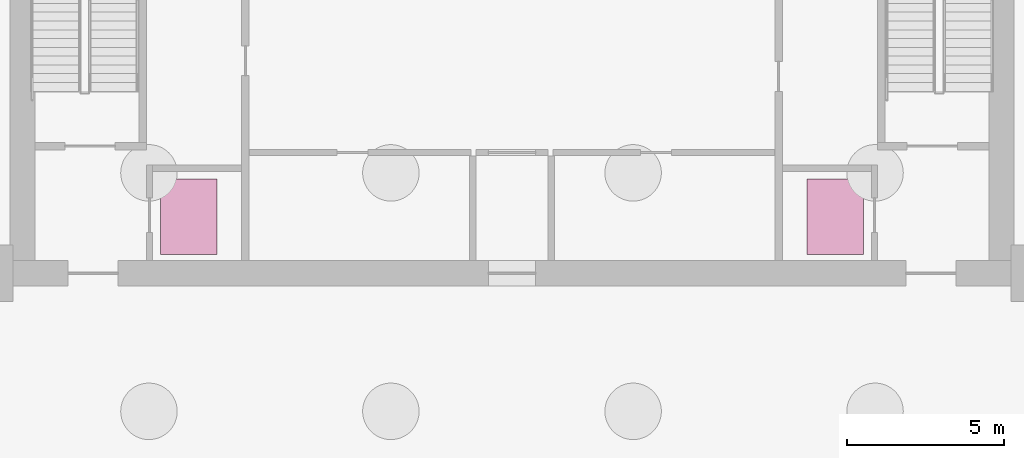
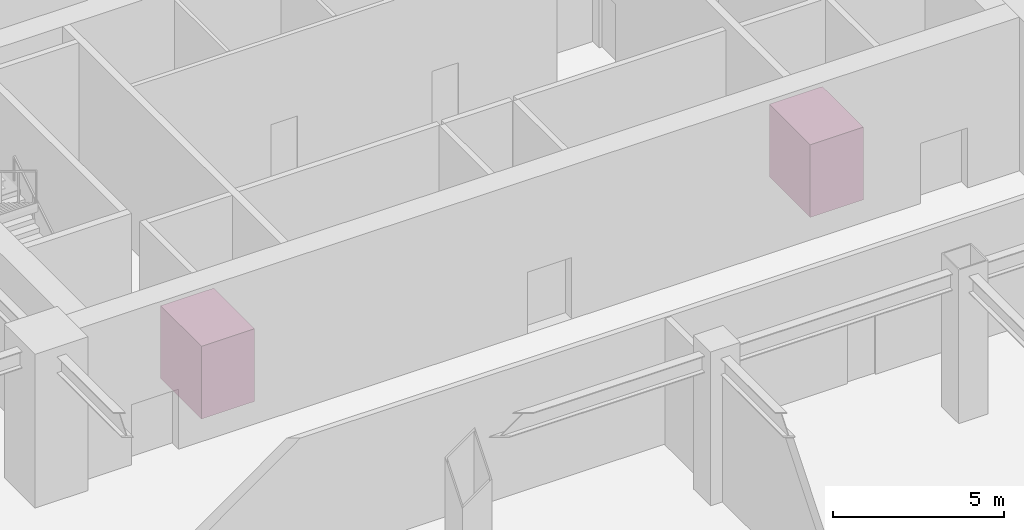
# One storey, part 9 of 9: 2 transport elements.
"""IFC4 building model written with IfcOpenShell, lengths in metres."""

from ifc_helpers import new_model, si_unit, direction, frame, origin, origin_2d, place, context, subcontext, project, spatial, rectangle, extrude, source, transform, mapped, material, type_object, element, save


model = new_model("IFC4")

# Units and contexts
model_context = context("Model", 3, precision=1e-05, world=origin(), true_north=direction((0.0, 1.0)))
body_context = subcontext(model_context, "Body", "Model", "MODEL_VIEW")
ifc_project = project(units=[si_unit("LENGTHUNIT", "METRE"), si_unit("AREAUNIT", "SQUARE_METRE"), si_unit("VOLUMEUNIT", "CUBIC_METRE"), si_unit("PLANEANGLEUNIT", "RADIAN"), si_unit("MASSUNIT", "GRAM", prefix="KILO")], contexts=[model_context])

# Site, building, storey
site_placement = place(None, origin())
site = spatial("IfcSite", under=ifc_project, at=site_placement, CompositionType="ELEMENT")
building_placement = place(site_placement, origin())
building = spatial("IfcBuilding", under=site, at=building_placement, Name="Sumidabori Civic Tower", CompositionType="ELEMENT")
storey_placement = place(building_placement, frame((0.0, 0.0, -11.0)))
storey = spatial("IfcBuildingStorey", under=building, at=storey_placement, Name="B2", CompositionType="ELEMENT", Elevation=-11.0)

# Transport elements
ifc_material = material(Name="Stainless Steel Hairline Finish", Category="steel")
transport_element_type = type_object("IfcTransportElementType", Name="LF-EMERG-1800", PredefinedType="ELEVATOR", material=ifc_material)
shared_shape = source(origin(), body_context, "Body", "SweptSolid", [
    extrude(rectangle(XDim=1.800048828125, YDim=2.39990234375, at=origin_2d()), origin(), (0.0, 0.0, 1.0), 2.60009765625),
])
for number, where, z_axis, x_axis, name in (
    (1, (-10.300048828125, 12.0, 0.0), (0.0, 0.0, 1.0), (1.0, 0.0, 0.0), "Emergency Lift EL-1"),
    (2, (10.300048828125, 12.0, 0.0), (0.0, 0.0, 1.0), (1.0, 0.0, 0.0), "Emergency Lift EL-2"),
):
    element("IfcTransportElement", number, at=place(storey_placement, frame(where, z_axis=z_axis, x_axis=x_axis)), inside=storey, type_object=transport_element_type, Name=name, PredefinedType="ELEVATOR", context=body_context, shape_type="MappedRepresentation", body=[
        mapped(shared_shape, transform((0.0, 0.0, 0.0), x_axis=(1.0, 0.0, 0.0), y_axis=(0.0, 1.0, 0.0), z_axis=(0.0, 0.0, 1.0), scale=1.0)),
    ])

save(model, "model.ifc")
